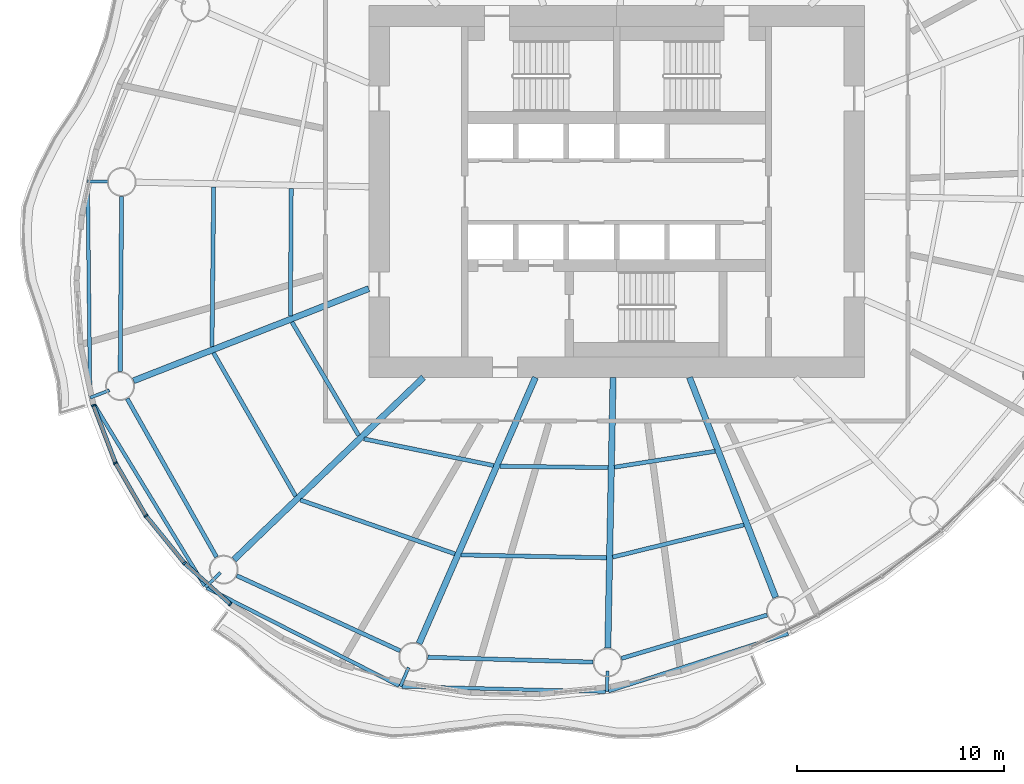
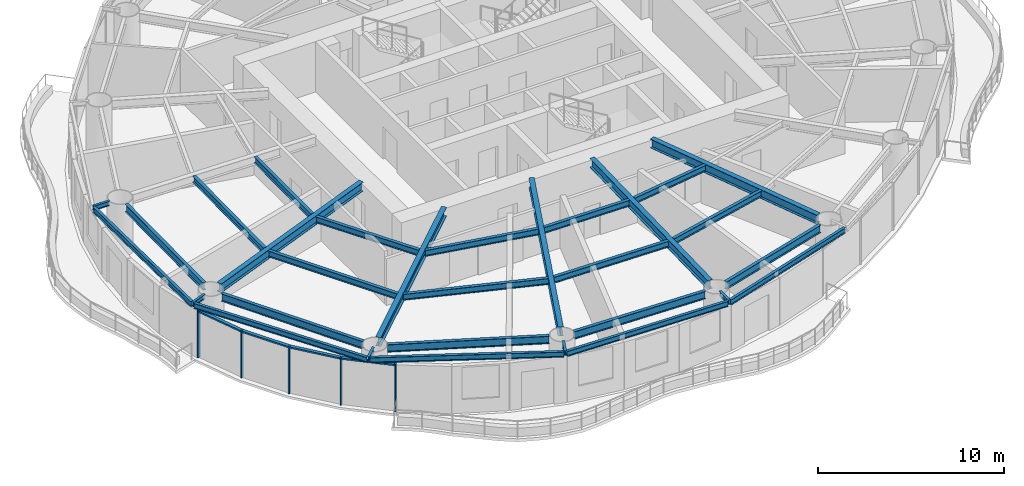
# One storey, part 2 of 14: 30 beams, 9 members, 4 elements without a shape of their own.
"""IFC4 building model written with IfcOpenShell, lengths in metres."""

from ifc_helpers import new_model, si_unit, direction, frame, origin, origin_2d, place, context, subcontext, project, spatial, rectangle, i_section, extrude, material, material_profile, profile_set, type_object, element, aggregate, save


model = new_model("IFC4")

# Units and contexts
model_context = context("Model", 3, precision=1e-05, world=origin(), true_north=direction((0.0, 1.0)))
body_context = subcontext(model_context, "Body", "Model", "MODEL_VIEW")
ifc_project = project(units=[si_unit("LENGTHUNIT", "METRE"), si_unit("AREAUNIT", "SQUARE_METRE"), si_unit("VOLUMEUNIT", "CUBIC_METRE"), si_unit("PLANEANGLEUNIT", "RADIAN"), si_unit("MASSUNIT", "GRAM", prefix="KILO")], contexts=[model_context])

# Site, building, storey
site_placement = place(None, origin())
site = spatial("IfcSite", under=ifc_project, at=site_placement, CompositionType="ELEMENT")
building_placement = place(site_placement, origin())
building = spatial("IfcBuilding", under=site, at=building_placement, Name="Vermilion Reach Broadcast Tower", CompositionType="ELEMENT")
storey_placement = place(building_placement, frame((0.0, 0.0, 172.199951171875)))
storey = spatial("IfcBuildingStorey", under=building, at=storey_placement, Name="L41", CompositionType="ELEMENT", Elevation=172.199951171875)

# Beams
ifc_material_1 = material(Name="Steel S355J2", Category="steel")
ifc_material_profile_1 = material_profile(ifc_material_1, i_section(OverallWidth=0.175048828125, OverallDepth=0.35009765625, WebThickness=0.007080078125, FlangeThickness=0.010986328125, at=origin_2d()), Name="S355J2 HN 350x175x7x11")
ifc_profile_set_1 = profile_set([ifc_material_profile_1], Name="Steel S355J2")
beam_type_1 = type_object("IfcBeamType", Name="EB3 HN 350x175x7x11", PredefinedType="BEAM", material=ifc_profile_set_1)
beam_1_placement = place(storey_placement, frame((-31.6083984375, 0.421142578125, 3.275146484375), z_axis=(0.011491319714, -0.999933972606, 0.0), x_axis=(0.999933972606, 0.011491319714, 0.0)))
element("IfcBeam", 1, at=beam_1_placement, inside=storey, type_object=beam_type_1, Name="Edge beam EB3-07", PredefinedType="BEAM", context=body_context, shape_type="SweptSolid", body=[
    extrude(i_section(OverallWidth=0.175048828125, OverallDepth=0.35009765625, WebThickness=0.007080078125, FlangeThickness=0.010986328125, at=origin_2d()), origin(), (0.0, 0.0, 1.0), 10.325439453125),
])
beam_2_placement = place(storey_placement, frame((-31.44921875, -10.048828125, 3.275146484375), z_axis=(0.520145336305, -0.854077765265, 0.0), x_axis=(0.854077765265, 0.520145336305, 0.0)))
element("IfcBeam", 2, at=beam_2_placement, inside=storey, type_object=beam_type_1, Name="Edge beam EB3-08", PredefinedType="BEAM", context=body_context, shape_type="SweptSolid", body=[
    extrude(i_section(OverallWidth=0.175048828125, OverallDepth=0.35009765625, WebThickness=0.007080078125, FlangeThickness=0.010986328125, at=origin_2d()), origin(), (0.0, 0.0, 1.0), 10.5791015625),
])
beam_3_placement = place(storey_placement, frame((-25.8359375, -19.18603515625, 3.275146484375), z_axis=(0.891061100948, -0.453883370898, 0.0), x_axis=(0.453883370898, 0.891061100948, 0.0)))
element("IfcBeam", 3, at=beam_3_placement, inside=storey, type_object=beam_type_1, Name="Edge beam EB3-09", PredefinedType="BEAM", context=body_context, shape_type="SweptSolid", body=[
    extrude(i_section(OverallWidth=0.175048828125, OverallDepth=0.35009765625, WebThickness=0.007080078125, FlangeThickness=0.010986328125, at=origin_2d()), origin(), (0.0, 0.0, 1.0), 10.4345703125),
])
beam_4_placement = place(storey_placement, frame((-16.390380859375, -23.958251953125, 3.275146484375), z_axis=(0.999675295563, -0.025481433271, 0.0), x_axis=(0.025481433271, 0.999675295563, 0.0)))
element("IfcBeam", 4, at=beam_4_placement, inside=storey, type_object=beam_type_1, Name="Edge beam EB3-10", PredefinedType="BEAM", context=body_context, shape_type="SweptSolid", body=[
    extrude(i_section(OverallWidth=0.175048828125, OverallDepth=0.35009765625, WebThickness=0.007080078125, FlangeThickness=0.010986328125, at=origin_2d()), origin(), (0.0, 0.0, 1.0), 9.849365234375),
])
beam_5_placement = place(storey_placement, frame((-6.3935546875, -24.18701171875, 3.275146484375), z_axis=(0.952251696083, 0.305314112525, 0.0), x_axis=(-0.305314112525, 0.952251696083, 0.0)))
element("IfcBeam", 5, at=beam_5_placement, inside=storey, type_object=beam_type_1, Name="Edge beam EB3-11", PredefinedType="BEAM", context=body_context, shape_type="SweptSolid", body=[
    extrude(i_section(OverallWidth=0.175048828125, OverallDepth=0.35009765625, WebThickness=0.007080078125, FlangeThickness=0.010986328125, at=origin_2d()), origin(), (0.0, 0.0, 1.0), 9.131103515625),
])
ifc_material_2 = material(Name="Steel S355J2", Category="steel")
ifc_material_profile_2 = material_profile(ifc_material_2, i_section(OverallWidth=0.300048828125, OverallDepth=0.587890625, WebThickness=0.011962890625, FlangeThickness=0.02001953125, at=origin_2d()), Name="S355J2 HM 588x300x12x20")
ifc_profile_set_2 = profile_set([ifc_material_profile_2], Name="Steel S355J2")
beam_type_2 = type_object("IfcBeamType", Name="G3 HM 588x300x12x20", PredefinedType="BEAM", material=ifc_profile_set_2)
beam_6_placement = place(storey_placement, frame((-18.0, -4.700439453125, 3.156005859375), z_axis=(-0.931124635714, -0.364701128004, 0.0), x_axis=(0.364701128004, -0.931124635714, 0.0)))
element("IfcBeam", 6, at=beam_6_placement, inside=storey, type_object=beam_type_2, Name="Girder G3-08", PredefinedType="BEAM", context=body_context, shape_type="SweptSolid", body=[
    extrude(i_section(OverallWidth=0.300048828125, OverallDepth=0.587890625, WebThickness=0.011962890625, FlangeThickness=0.02001953125, at=origin_2d()), origin(), (0.0, 0.0, 1.0), 12.231201171875),
])
beam_7_placement = place(storey_placement, frame((-15.355712890625, -9.0, 3.156005859375), z_axis=(-0.720670374476, -0.693277874559, 0.0), x_axis=(0.693277874559, -0.720670374476, 0.0)))
element("IfcBeam", 7, at=beam_7_placement, inside=storey, type_object=beam_type_2, Name="Girder G3-09", PredefinedType="BEAM", context=body_context, shape_type="SweptSolid", body=[
    extrude(i_section(OverallWidth=0.300048828125, OverallDepth=0.587890625, WebThickness=0.011962890625, FlangeThickness=0.02001953125, at=origin_2d()), origin(), (0.0, 0.0, 1.0), 12.718505859375),
])
beam_8_placement = place(storey_placement, frame((-9.933837890625, -9.0, 3.156005859375), z_axis=(-0.400519113205, -0.916288404356, 0.0), x_axis=(0.916288404356, -0.400519113205, 0.0)))
element("IfcBeam", 8, at=beam_8_placement, inside=storey, type_object=beam_type_2, Name="Girder G3-10", PredefinedType="BEAM", context=body_context, shape_type="SweptSolid", body=[
    extrude(i_section(OverallWidth=0.300048828125, OverallDepth=0.587890625, WebThickness=0.011962890625, FlangeThickness=0.02001953125, at=origin_2d()), origin(), (0.0, 0.0, 1.0), 14.0595703125),
])
beam_9_placement = place(storey_placement, frame((-6.17431640625, -9.0, 3.156005859375), z_axis=(-0.019378372481, -0.99981222171, 0.0), x_axis=(0.99981222171, -0.019378372481, 0.0)))
element("IfcBeam", 9, at=beam_9_placement, inside=storey, type_object=beam_type_2, Name="Girder G3-11", PredefinedType="BEAM", context=body_context, shape_type="SweptSolid", body=[
    extrude(i_section(OverallWidth=0.300048828125, OverallDepth=0.587890625, WebThickness=0.011962890625, FlangeThickness=0.02001953125, at=origin_2d()), origin(), (0.0, 0.0, 1.0), 13.1025390625),
])
beam_10_placement = place(storey_placement, frame((-2.474853515625, -9.0, 3.156005859375), z_axis=(0.364715649973, -0.931118947646, 0.0), x_axis=(0.931118947646, 0.364715649973, 0.0)))
element("IfcBeam", 10, at=beam_10_placement, inside=storey, type_object=beam_type_2, Name="Girder G3-12", PredefinedType="BEAM", context=body_context, shape_type="SweptSolid", body=[
    extrude(i_section(OverallWidth=0.300048828125, OverallDepth=0.587890625, WebThickness=0.011962890625, FlangeThickness=0.02001953125, at=origin_2d()), origin(), (0.0, 0.0, 1.0), 11.436767578125),
])
ifc_material_3 = material(Name="Steel S355J2", Category="steel")
ifc_material_profile_3 = material_profile(ifc_material_3, i_section(OverallWidth=0.14990234375, OverallDepth=0.300048828125, WebThickness=0.006591796875, FlangeThickness=0.009033203125, at=origin_2d()), Name="S355J2 HN 300x150x6.5x9")
ifc_profile_set_3 = profile_set([ifc_material_profile_3], Name="Steel S355J2")
beam_type_3 = type_object("IfcBeamType", Name="GS3 HN 300x150x6.5x9", PredefinedType="BEAM", material=ifc_profile_set_3)
for number, where, z_axis, x_axis, name in (
    (11, (-30.609375, 0.476806640625, 3.300048828125), (-0.999813964781, 0.019288230334, 0.0), (-0.019288230334, -0.999813964781, 0.0), "Cantilever stub GS3-07"),
    (12, (-30.5576171875, -9.619140625, 3.300048828125), (-0.931113051526, -0.364730702407, 0.0), (0.364730702407, -0.931113051526, 0.0), "Cantilever stub GS3-08"),
    (13, (-25.18603515625, -18.45654296875, 3.300048828125), (-0.720645397388, -0.693303837595, 0.0), (0.693303837595, -0.720645397388, 0.0), "Cantilever stub GS3-09"),
    (14, (-16.07080078125, -23.0400390625, 3.300048828125), (-0.400421736837, -0.916330962408, 0.0), (0.916330962408, -0.400421736837, 0.0), "Cantilever stub GS3-10"),
    (15, (-6.44970703125, -23.21142578125, 3.300048828125), (-0.019288230334, -0.999813964781, 0.0), (0.999813964781, -0.019288230334, 0.0), "Cantilever stub GS3-11"),
):
    element("IfcBeam", number, at=place(storey_placement, frame(where, z_axis=z_axis, x_axis=x_axis)), inside=storey, type_object=beam_type_3, Name=name, PredefinedType="BEAM", context=body_context, shape_type="SweptSolid", body=[
        extrude(i_section(OverallWidth=0.14990234375, OverallDepth=0.300048828125, WebThickness=0.006591796875, FlangeThickness=0.009033203125, at=origin_2d()), origin(), (0.0, 0.0, 1.0), 1.0),
    ])
ifc_material_4 = material(Name="Steel S355J2", Category="steel")
ifc_material_profile_4 = material_profile(ifc_material_4, i_section(OverallWidth=0.199951171875, OverallDepth=0.5, WebThickness=0.010009765625, FlangeThickness=0.01611328125, at=origin_2d()), Name="S355J2 HN 500x200x10x16")
ifc_profile_set_4 = profile_set([ifc_material_profile_4], Name="Steel S355J2")
beam_type_4 = type_object("IfcBeamType", Name="RB3 HN 500x200x10x16", PredefinedType="BEAM", material=ifc_profile_set_4)
beam_11_placement = place(storey_placement, frame((-29.965087890625, -0.23583984375, 3.199951171875), z_axis=(-0.008204232036, -0.999966344722, 0.0), x_axis=(0.999966344722, -0.008204232036, 0.0)))
element("IfcBeam", 16, at=beam_11_placement, inside=storey, type_object=beam_type_4, Name="Ring beam RB3-07", PredefinedType="BEAM", context=body_context, shape_type="SweptSolid", body=[
    extrude(i_section(OverallWidth=0.199951171875, OverallDepth=0.5, WebThickness=0.010009765625, FlangeThickness=0.01611328125, at=origin_2d()), origin(), (0.0, 0.0, 1.0), 8.48095703125),
])
beam_12_placement = place(storey_placement, frame((-29.696533203125, -10.026123046875, 3.199951171875), z_axis=(0.491466825026, -0.870896296869, 0.0), x_axis=(0.870896296869, 0.491466825026, 0.0)))
element("IfcBeam", 17, at=beam_12_placement, inside=storey, type_object=beam_type_4, Name="Ring beam RB3-08", PredefinedType="BEAM", context=body_context, shape_type="SweptSolid", body=[
    extrude(i_section(OverallWidth=0.199951171875, OverallDepth=0.5, WebThickness=0.010009765625, FlangeThickness=0.01611328125, at=origin_2d()), origin(), (0.0, 0.0, 1.0), 8.803466796875),
])
beam_13_placement = place(storey_placement, frame((-24.389892578125, -18.594970703125, 3.199951171875), z_axis=(0.908546241769, -0.417784306272, 0.0), x_axis=(0.417784306272, 0.908546241769, 0.0)))
element("IfcBeam", 18, at=beam_13_placement, inside=storey, type_object=beam_type_4, Name="Ring beam RB3-09", PredefinedType="BEAM", context=body_context, shape_type="SweptSolid", body=[
    extrude(i_section(OverallWidth=0.199951171875, OverallDepth=0.5, WebThickness=0.010009765625, FlangeThickness=0.01611328125, at=origin_2d()), origin(), (0.0, 0.0, 1.0), 8.704833984375),
])
beam_14_placement = place(storey_placement, frame((-15.1455078125, -22.544677734375, 3.199951171875), z_axis=(0.999569781146, -0.029330063427, 0.0), x_axis=(0.029330063427, 0.999569781146, 0.0)))
element("IfcBeam", 19, at=beam_14_placement, inside=storey, type_object=beam_type_4, Name="Ring beam RB3-10", PredefinedType="BEAM", context=body_context, shape_type="SweptSolid", body=[
    extrude(i_section(OverallWidth=0.199951171875, OverallDepth=0.5, WebThickness=0.010009765625, FlangeThickness=0.01611328125, at=origin_2d()), origin(), (0.0, 0.0, 1.0), 8.007568359375),
])
beam_15_placement = place(storey_placement, frame((-5.770751953125, -22.60009765625, 3.199951171875), z_axis=(0.958416970322, 0.285371531516, 0.0), x_axis=(-0.285371531516, 0.958416970322, 0.0)))
element("IfcBeam", 20, at=beam_15_placement, inside=storey, type_object=beam_type_4, Name="Ring beam RB3-11", PredefinedType="BEAM", context=body_context, shape_type="SweptSolid", body=[
    extrude(i_section(OverallWidth=0.199951171875, OverallDepth=0.5, WebThickness=0.010009765625, FlangeThickness=0.01611328125, at=origin_2d()), origin(), (0.0, 0.0, 1.0), 7.357421875),
])
ifc_material_5 = material(Name="Steel S355J2", Category="steel")
ifc_material_profile_5 = material_profile(ifc_material_5, i_section(OverallWidth=0.199951171875, OverallDepth=0.39990234375, WebThickness=0.008056640625, FlangeThickness=0.012939453125, at=origin_2d()), Name="S355J2 HN 400x200x8x13")
ifc_profile_set_5 = profile_set([ifc_material_profile_5], Name="Steel S355J2")
beam_type_5 = type_object("IfcBeamType", Name="SB3 HN 400x200x8x13", PredefinedType="BEAM", material=ifc_profile_set_5)
beam_16_placement = place(storey_placement, frame((-21.754150390625, 0.1552734375, 3.25), z_axis=(-0.006635449147, -0.999977985165, 0.0), x_axis=(0.999977985165, -0.006635449147, 0.0)))
element("IfcBeam", 21, at=beam_16_placement, inside=storey, type_object=beam_type_5, Name="Secondary beam SB3-07-1", PredefinedType="BEAM", context=body_context, shape_type="SweptSolid", body=[
    extrude(i_section(OverallWidth=0.199951171875, OverallDepth=0.39990234375, WebThickness=0.008056640625, FlangeThickness=0.012939453125, at=origin_2d()), origin(), (0.0, 0.0, 1.0), 6.181396484375),
])
beam_17_placement = place(storey_placement, frame((-25.508056640625, 0.22802734375, 3.25), z_axis=(-0.010691708672, -0.999942842049, 0.0), x_axis=(0.999942842049, -0.010691708672, 0.0)))
element("IfcBeam", 22, at=beam_17_placement, inside=storey, type_object=beam_type_5, Name="Secondary beam SB3-07-2", PredefinedType="BEAM", context=body_context, shape_type="SweptSolid", body=[
    extrude(i_section(OverallWidth=0.199951171875, OverallDepth=0.39990234375, WebThickness=0.008056640625, FlangeThickness=0.012939453125, at=origin_2d()), origin(), (0.0, 0.0, 1.0), 7.740966796875),
])
beam_18_placement = place(storey_placement, frame((-21.71923828125, -6.318115234375, 3.25), z_axis=(0.507249643612, -0.861799163991, 0.0), x_axis=(0.861799163991, 0.507249643612, 0.0)))
element("IfcBeam", 23, at=beam_18_placement, inside=storey, type_object=beam_type_5, Name="Secondary beam SB3-08-1", PredefinedType="BEAM", context=body_context, shape_type="SweptSolid", body=[
    extrude(i_section(OverallWidth=0.199951171875, OverallDepth=0.39990234375, WebThickness=0.008056640625, FlangeThickness=0.012939453125, at=origin_2d()), origin(), (0.0, 0.0, 1.0), 6.3681640625),
])
beam_19_placement = place(storey_placement, frame((-25.51708984375, -7.805908203125, 3.25), z_axis=(0.497026503115, -0.867735360119, 0.0), x_axis=(0.867735360119, 0.497026503115, 0.0)))
element("IfcBeam", 24, at=beam_19_placement, inside=storey, type_object=beam_type_5, Name="Secondary beam SB3-08-2", PredefinedType="BEAM", context=body_context, shape_type="SweptSolid", body=[
    extrude(i_section(OverallWidth=0.199951171875, OverallDepth=0.39990234375, WebThickness=0.008056640625, FlangeThickness=0.012939453125, at=origin_2d()), origin(), (0.0, 0.0, 1.0), 7.995849609375),
])
beam_20_placement = place(storey_placement, frame((-18.232666015625, -11.975830078125, 3.25), z_axis=(0.97956765607, -0.201114910391, 0.0), x_axis=(0.201114910391, 0.97956765607, 0.0)))
element("IfcBeam", 25, at=beam_20_placement, inside=storey, type_object=beam_type_5, Name="Secondary beam SB3-09-1", PredefinedType="BEAM", context=body_context, shape_type="SweptSolid", body=[
    extrude(i_section(OverallWidth=0.199951171875, OverallDepth=0.39990234375, WebThickness=0.008056640625, FlangeThickness=0.012939453125, at=origin_2d()), origin(), (0.0, 0.0, 1.0), 6.40234375),
])
beam_21_placement = place(storey_placement, frame((-21.307373046875, -14.93359375, 3.25), z_axis=(0.94431696779, -0.329037177754, 0.0), x_axis=(0.329037177754, 0.94431696779, 0.0)))
element("IfcBeam", 26, at=beam_21_placement, inside=storey, type_object=beam_type_5, Name="Secondary beam SB3-09-2", PredefinedType="BEAM", context=body_context, shape_type="SweptSolid", body=[
    extrude(i_section(OverallWidth=0.199951171875, OverallDepth=0.39990234375, WebThickness=0.008056640625, FlangeThickness=0.012939453125, at=origin_2d()), origin(), (0.0, 0.0, 1.0), 7.91845703125),
])
beam_22_placement = place(storey_placement, frame((-11.648193359375, -13.29638671875, 3.25), z_axis=(0.999914891843, -0.013046419838, 0.0), x_axis=(0.013046419838, 0.999914891843, 0.0)))
element("IfcBeam", 27, at=beam_22_placement, inside=storey, type_object=beam_type_5, Name="Secondary beam SB3-10-1", PredefinedType="BEAM", context=body_context, shape_type="SweptSolid", body=[
    extrude(i_section(OverallWidth=0.199951171875, OverallDepth=0.39990234375, WebThickness=0.008056640625, FlangeThickness=0.012939453125, at=origin_2d()), origin(), (0.0, 0.0, 1.0), 5.23974609375),
])
beam_23_placement = place(storey_placement, frame((-13.525634765625, -17.591552734375, 3.25), z_axis=(0.999804929321, -0.019751033045, 0.0), x_axis=(0.019751033045, 0.999804929321, 0.0)))
element("IfcBeam", 28, at=beam_23_placement, inside=storey, type_object=beam_type_5, Name="Secondary beam SB3-10-2", PredefinedType="BEAM", context=body_context, shape_type="SweptSolid", body=[
    extrude(i_section(OverallWidth=0.199951171875, OverallDepth=0.39990234375, WebThickness=0.008056640625, FlangeThickness=0.012939453125, at=origin_2d()), origin(), (0.0, 0.0, 1.0), 7.033447265625),
])
beam_24_placement = place(storey_placement, frame((-6.1083984375, -13.343017578125, 3.25), z_axis=(0.987756142208, 0.15600578044, 0.0), x_axis=(-0.15600578044, 0.987756142208, 0.0)))
element("IfcBeam", 29, at=beam_24_placement, inside=storey, type_object=beam_type_5, Name="Secondary beam SB3-11-1", PredefinedType="BEAM", context=body_context, shape_type="SweptSolid", body=[
    extrude(i_section(OverallWidth=0.199951171875, OverallDepth=0.39990234375, WebThickness=0.008056640625, FlangeThickness=0.012939453125, at=origin_2d()), origin(), (0.0, 0.0, 1.0), 4.9326171875),
])
beam_25_placement = place(storey_placement, frame((-6.19287109375, -17.6962890625, 3.25), z_axis=(0.971111691931, 0.238625400566, 0.0), x_axis=(-0.238625400566, 0.971111691931, 0.0)))
element("IfcBeam", 30, at=beam_25_placement, inside=storey, type_object=beam_type_5, Name="Secondary beam SB3-11-2", PredefinedType="BEAM", context=body_context, shape_type="SweptSolid", body=[
    extrude(i_section(OverallWidth=0.199951171875, OverallDepth=0.39990234375, WebThickness=0.008056640625, FlangeThickness=0.012939453125, at=origin_2d()), origin(), (0.0, 0.0, 1.0), 6.540771484375),
])

# Curtain wall, member
ifc_material_6 = material(Name="Low-e laminated clear glass in aluminium frame", Category="aluminium")
curtain_wall_type = type_object("IfcCurtainWallType", Name="Slot curtain wall", PredefinedType="NOTDEFINED", material=ifc_material_6)
placement = place(storey_placement, origin())
curtain_wall_1 = element("IfcCurtainWall", 31, at=placement, inside=storey, type_object=curtain_wall_type, Name="Slot curtain wall L41 22", PredefinedType="NOTDEFINED")
ifc_material_7 = material(Name="Anodised aluminium", Category="aluminium")
ifc_material_profile_6 = material_profile(ifc_material_7, rectangle(XDim=0.199951171875, YDim=0.080078125, at=origin_2d()), Name="Slot mullion 80 x 200")
ifc_profile_set_6 = profile_set([ifc_material_profile_6], Name="Anodised aluminium")
member_type_1 = type_object("IfcMemberType", Name="Slot mullion 80 x 200", PredefinedType="MULLION", material=ifc_profile_set_6)
member_1_placement = place(storey_placement, frame((-31.325439453125, -10.35498046875, 0.0), z_axis=(0.0, 0.0, 1.0), x_axis=(0.958886349771, 0.283790359638, 0.0)))
member_1 = element("IfcMember", 32, at=member_1_placement, type_object=member_type_1, Name="Slot mullion L41 22", PredefinedType="MULLION", context=body_context, shape_type="SweptSolid", body=[
    extrude(rectangle(XDim=0.199951171875, YDim=0.080078125, at=origin_2d()), origin(), (0.0, 0.0, 1.0), 3.10009765625),
])

curtain_wall_2 = element("IfcCurtainWall", 33, at=placement, inside=storey, type_object=curtain_wall_type, Name="Slot curtain wall L41 23", PredefinedType="NOTDEFINED")
member_2_placement = place(storey_placement, frame((-30.261962890625, -13.137451171875, 0.0), z_axis=(0.0, 0.0, 1.0), x_axis=(0.902952260159, 0.429740870612, 0.0)))
member_2 = element("IfcMember", 34, at=member_2_placement, type_object=member_type_1, Name="Slot mullion L41 23", PredefinedType="MULLION", context=body_context, shape_type="SweptSolid", body=[
    extrude(rectangle(XDim=0.199951171875, YDim=0.080078125, at=origin_2d()), origin(), (0.0, 0.0, 1.0), 3.10009765625),
])

curtain_wall_3 = element("IfcCurtainWall", 35, at=placement, inside=storey, type_object=curtain_wall_type, Name="Slot curtain wall L41 24", PredefinedType="NOTDEFINED")
member_3_placement = place(storey_placement, frame((-28.785888671875, -15.695556640625, 0.0), z_axis=(0.0, 0.0, 1.0), x_axis=(0.823532602836, 0.567268941566, 0.0)))
member_3 = element("IfcMember", 36, at=member_3_placement, type_object=member_type_1, Name="Slot mullion L41 24", PredefinedType="MULLION", context=body_context, shape_type="SweptSolid", body=[
    extrude(rectangle(XDim=0.199951171875, YDim=0.080078125, at=origin_2d()), origin(), (0.0, 0.0, 1.0), 3.10009765625),
])

# Curtain wall, members
curtain_wall_4 = element("IfcCurtainWall", 37, at=placement, inside=storey, type_object=curtain_wall_type, Name="Slot curtain wall L41 25", PredefinedType="NOTDEFINED")
member_4_placement = place(storey_placement, frame((-26.922119140625, -17.986328125, 0.0), z_axis=(0.0, 0.0, 1.0), x_axis=(0.723342174535, 0.690489752668, 0.0)))
member_4 = element("IfcMember", 38, at=member_4_placement, type_object=member_type_1, Name="Slot mullion L41 25", PredefinedType="MULLION", context=body_context, shape_type="SweptSolid", body=[
    extrude(rectangle(XDim=0.199951171875, YDim=0.080078125, at=origin_2d()), origin(), (0.0, 0.0, 1.0), 3.10009765625),
])
member_5_placement = place(storey_placement, frame((-24.701416015625, -19.971435546875, 0.0), z_axis=(0.0, 0.0, 1.0), x_axis=(0.606912076202, 0.79476898012, 0.0)))
member_5 = element("IfcMember", 39, at=member_5_placement, type_object=member_type_1, Name="Slot mullion L41 26", PredefinedType="MULLION", context=body_context, shape_type="SweptSolid", body=[
    extrude(rectangle(XDim=0.199951171875, YDim=0.080078125, at=origin_2d()), origin(), (0.0, 0.0, 1.0), 3.10009765625),
])

# Member
ifc_material_8 = material(Name="Anodised aluminium", Category="aluminium")
ifc_material_profile_7 = material_profile(ifc_material_8, rectangle(XDim=0.199951171875, YDim=0.10009765625, at=origin_2d()), Name="Slot transom 200 x 100")
ifc_profile_set_7 = profile_set([ifc_material_profile_7], Name="Anodised aluminium")
member_type_2 = type_object("IfcMemberType", Name="Slot transom 200 x 100", PredefinedType="USERDEFINED", material=ifc_profile_set_7)
member_6_placement = place(storey_placement, frame((-31.31103515625, -10.392333984375, 3.050048828125), z_axis=(0.356940787653, -0.934127011765, 0.0), x_axis=(0.934127011765, 0.356940787653, 0.0)))
member_6 = element("IfcMember", 40, at=member_6_placement, type_object=member_type_2, Name="Slot transom L41 22.1", ObjectType="TRANSOM", PredefinedType="USERDEFINED", context=body_context, shape_type="SweptSolid", body=[
    extrude(rectangle(XDim=0.199951171875, YDim=0.10009765625, at=origin_2d()), origin(), (0.0, 0.0, 1.0), 2.898681640625),
])

aggregate(curtain_wall_1, [member_1, member_6])

member_7_placement = place(storey_placement, frame((-30.241943359375, -13.172119140625, 3.050048828125), z_axis=(0.499776393889, -0.866154464349, 0.0), x_axis=(0.866154464349, 0.499776393889, 0.0)))
member_7 = element("IfcMember", 41, at=member_7_placement, type_object=member_type_2, Name="Slot transom L41 23.1", ObjectType="TRANSOM", PredefinedType="USERDEFINED", context=body_context, shape_type="SweptSolid", body=[
    extrude(rectangle(XDim=0.199951171875, YDim=0.10009765625, at=origin_2d()), origin(), (0.0, 0.0, 1.0), 2.873291015625),
])

aggregate(curtain_wall_2, [member_2, member_7])

member_8_placement = place(storey_placement, frame((-28.7607421875, -15.7265625, 3.050048828125), z_axis=(0.631139460011, -0.775669376743, 0.0), x_axis=(0.775669376743, 0.631139460011, 0.0)))
member_8 = element("IfcMember", 42, at=member_8_placement, type_object=member_type_2, Name="Slot transom L41 24.1", ObjectType="TRANSOM", PredefinedType="USERDEFINED", context=body_context, shape_type="SweptSolid", body=[
    extrude(rectangle(XDim=0.199951171875, YDim=0.10009765625, at=origin_2d()), origin(), (0.0, 0.0, 1.0), 2.873291015625),
])

aggregate(curtain_wall_3, [member_3, member_8])

member_9_placement = place(storey_placement, frame((-26.89208984375, -18.012939453125, 3.050048828125), z_axis=(0.745505602567, -0.666499359746, 0.0), x_axis=(0.666499359746, 0.745505602567, 0.0)))
member_9 = element("IfcMember", 43, at=member_9_placement, type_object=member_type_2, Name="Slot transom L41 25.1", ObjectType="TRANSOM", PredefinedType="USERDEFINED", context=body_context, shape_type="SweptSolid", body=[
    extrude(rectangle(XDim=0.199951171875, YDim=0.10009765625, at=origin_2d()), origin(), (0.0, 0.0, 1.0), 2.8984375),
])

aggregate(curtain_wall_4, [member_4, member_5, member_9])

save(model, "model.ifc")
